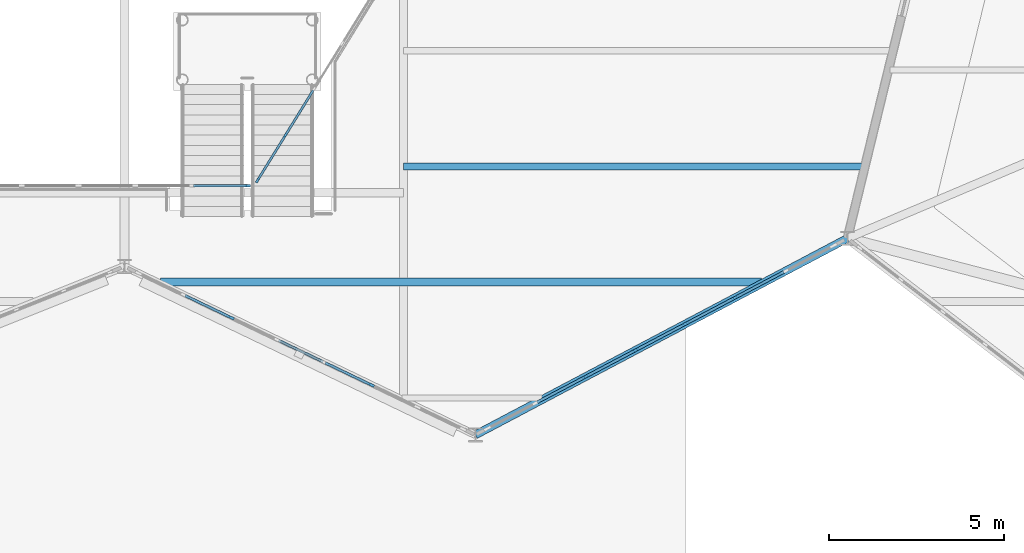
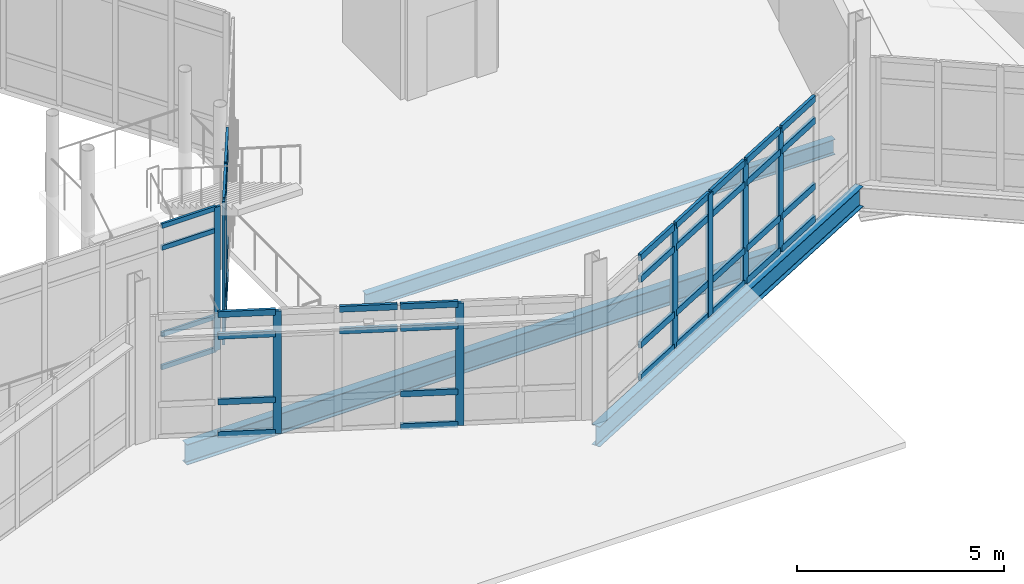
# One storey, part 39 of 134: 51 members, 3 beams, 4 elements without a shape of their own.
"""IFC4 building model written with IfcOpenShell, lengths in metres."""

from ifc_helpers import new_model, si_unit, direction, frame, origin, origin_2d, place, context, subcontext, project, spatial, rectangle, i_section, extrude, material, material_profile, profile_set, type_object, element, aggregate, save


model = new_model("IFC4")

# Units and contexts
model_context = context("Model", 3, precision=1e-05, world=origin(), true_north=direction((0.0, 1.0)))
body_context = subcontext(model_context, "Body", "Model", "MODEL_VIEW")
ifc_project = project(units=[si_unit("LENGTHUNIT", "METRE"), si_unit("AREAUNIT", "SQUARE_METRE"), si_unit("VOLUMEUNIT", "CUBIC_METRE"), si_unit("PLANEANGLEUNIT", "RADIAN"), si_unit("MASSUNIT", "GRAM", prefix="KILO")], contexts=[model_context])

# Site, building, storey
site_placement = place(None, origin())
site = spatial("IfcSite", under=ifc_project, at=site_placement, CompositionType="ELEMENT")
building_placement = place(site_placement, origin())
building = spatial("IfcBuilding", under=site, at=building_placement, Name="Tameran Prism Museum", CompositionType="ELEMENT")
storey_placement = place(building_placement, frame((0.0, 0.0, 5.39990234375)))
storey = spatial("IfcBuildingStorey", under=building, at=storey_placement, Name="L01", CompositionType="ELEMENT", Elevation=5.39990234375)

# Beams
ifc_material_1 = material(Name="Steel Grade 300PLUS (300 MPa)", Category="steel")
ifc_material_profile_1 = material_profile(ifc_material_1, i_section(OverallWidth=0.18994140625, OverallDepth=0.4541015625, WebThickness=0.008544921875, FlangeThickness=0.0126953125, FilletRadius=0.011474609375, at=origin_2d()))
ifc_profile_set_1 = profile_set([ifc_material_profile_1])
beam_type_1 = type_object("IfcBeamType", Name="BM-J460B", PredefinedType="JOIST", material=ifc_profile_set_1)
beam_1_placement = place(storey_placement, frame((85.449951171875, 30.25, -0.427001953125), z_axis=(1.0, 0.0, 0.0), x_axis=(0.0, 1.0, 0.0)))
element("IfcBeam", 1, at=beam_1_placement, inside=storey, type_object=beam_type_1, Name="Floor Beam BM-0545", PredefinedType="JOIST", context=body_context, shape_type="SweptSolid", body=[
    extrude(i_section(OverallWidth=0.18994140625, OverallDepth=0.4541015625, WebThickness=0.008544921875, FlangeThickness=0.0126953125, FilletRadius=0.011474609375, at=origin_2d()), origin(), (0.0, 0.0, 1.0), 13.10693359375),
])
ifc_material_2 = material(Name="Steel Grade 300PLUS (300 MPa)", Category="steel")
ifc_material_profile_2 = material_profile(ifc_material_2, i_section(OverallWidth=0.22802734375, OverallDepth=0.60205078125, WebThickness=0.010498046875, FlangeThickness=0.014892578125, FilletRadius=0.013916015625, at=origin_2d()))
ifc_profile_set_2 = profile_set([ifc_material_profile_2])
beam_type_2 = type_object("IfcBeamType", Name="BM-SP610", PredefinedType="SPANDREL", material=ifc_profile_set_2)
beam_2_placement = place(storey_placement, frame((87.5, 22.60009765625, -0.5009765625), z_axis=(0.884200208153, 0.46710811586, 0.0), x_axis=(-0.46710811586, 0.884200208153, 0.0)))
element("IfcBeam", 2, at=beam_2_placement, inside=storey, type_object=beam_type_2, Name="Perimeter Spandrel SP-0352", PredefinedType="SPANDREL", context=body_context, shape_type="SweptSolid", body=[
    extrude(i_section(OverallWidth=0.22802734375, OverallDepth=0.60205078125, WebThickness=0.010498046875, FlangeThickness=0.014892578125, FilletRadius=0.013916015625, at=origin_2d()), origin(), (0.0, 0.0, 1.0), 11.98828125),
])
ifc_material_3 = material(Name="Steel Grade 300PLUS (300 MPa)", Category="steel")
ifc_material_profile_3 = material_profile(ifc_material_3, i_section(OverallWidth=0.22802734375, OverallDepth=0.60693359375, WebThickness=0.01123046875, FlangeThickness=0.017333984375, FilletRadius=0.013916015625, at=origin_2d()))
ifc_profile_set_3 = profile_set([ifc_material_profile_3])
beam_type_3 = type_object("IfcBeamType", Name="BM-UB610B", PredefinedType="BEAM", material=ifc_profile_set_3)
beam_3_placement = place(storey_placement, frame((78.530029296875, 26.949951171875, -0.50341796875), z_axis=(1.0, 0.0, 0.0), x_axis=(0.0, 1.0, 0.0)))
element("IfcBeam", 3, at=beam_3_placement, inside=storey, type_object=beam_type_3, Name="Floor Beam BM-0544", PredefinedType="BEAM", context=body_context, shape_type="SweptSolid", body=[
    extrude(i_section(OverallWidth=0.22802734375, OverallDepth=0.60693359375, WebThickness=0.01123046875, FlangeThickness=0.017333984375, FilletRadius=0.013916015625, at=origin_2d()), origin(), (0.0, 0.0, 1.0), 17.117919921875),
])

# Curtain wall, member
ifc_material_4 = material(Name="Anodised Aluminium 6063-T6 and Cyclone Solar Glass", Category="aluminium")
curtain_wall_type_1 = type_object("IfcCurtainWallType", Name="CW-ATR-810x424", PredefinedType="USERDEFINED", material=ifc_material_4)
curtain_wall_1_placement = place(storey_placement, origin())
curtain_wall_1 = element("IfcCurtainWall", 4, at=curtain_wall_1_placement, inside=storey, type_object=curtain_wall_type_1, Name="Unitised Curtain Wall CW-002", ObjectType="UNITISED CURTAIN WALL", PredefinedType="USERDEFINED")
ifc_material_5 = material(Name="Anodised Aluminium Alloy 6063-T6", Category="aluminium")
ifc_material_profile_4 = material_profile(ifc_material_5, rectangle(XDim=0.06494140625, YDim=0.159912109375, at=origin_2d()))
ifc_profile_set_4 = profile_set([ifc_material_profile_4])
member_type_1 = type_object("IfcMemberType", Name="CW-MUL-A", PredefinedType="MULLION", material=ifc_profile_set_4)
member_1_placement = place(storey_placement, frame((81.017578125, 29.699951171875, 0.0), z_axis=(0.0, 0.0, 1.0), x_axis=(0.0, 1.0, 0.0)))
member_1 = element("IfcMember", 5, at=member_1_placement, type_object=member_type_1, Name="CW-002 mullion 6", PredefinedType="MULLION", context=body_context, shape_type="SweptSolid", body=[
    extrude(rectangle(XDim=0.06494140625, YDim=0.159912109375, at=origin_2d()), origin(), (0.0, 0.0, 1.0), 4.239990234375),
])

# Curtain wall, members
ifc_material_6 = material(Name="Anodised Aluminium 6063-T6 and Cyclone Solar Glass", Category="aluminium")
curtain_wall_type_2 = type_object("IfcCurtainWallType", Name="CW-ATR-769x424", PredefinedType="USERDEFINED", material=ifc_material_6)
curtain_wall_2_placement = place(storey_placement, origin())
curtain_wall_2 = element("IfcCurtainWall", 6, at=curtain_wall_2_placement, inside=storey, type_object=curtain_wall_type_2, Name="Unitised Curtain Wall CW-003", ObjectType="UNITISED CURTAIN WALL", PredefinedType="USERDEFINED")
member_2_placement = place(storey_placement, frame((81.296142578125, 29.855712890625, 0.0), z_axis=(0.0, 0.0, 1.0), x_axis=(-0.850791158897, 0.525503952357, 0.0)))
member_2 = element("IfcMember", 7, at=member_2_placement, type_object=member_type_1, Name="CW-003 mullion 1", PredefinedType="MULLION", context=body_context, shape_type="SweptSolid", body=[
    extrude(rectangle(XDim=0.06494140625, YDim=0.159912109375, at=origin_2d()), origin(), (0.0, 0.0, 1.0), 4.239990234375),
])
member_3_placement = place(storey_placement, frame((82.08740234375, 31.13671875, 0.0), z_axis=(0.0, 0.0, 1.0), x_axis=(-0.850791158897, 0.525503952357, 0.0)))
member_3 = element("IfcMember", 8, at=member_3_placement, type_object=member_type_1, Name="CW-003 mullion 2", PredefinedType="MULLION", context=body_context, shape_type="SweptSolid", body=[
    extrude(rectangle(XDim=0.06494140625, YDim=0.159912109375, at=origin_2d()), origin(), (0.0, 0.0, 1.0), 4.239990234375),
])

ifc_material_7 = material(Name="Anodised Aluminium 6063-T6 and Cyclone Solar Glass", Category="aluminium")
curtain_wall_type_3 = type_object("IfcCurtainWallType", Name="CW-FAC-1033x362", PredefinedType="USERDEFINED", material=ifc_material_7)
curtain_wall_3_placement = place(storey_placement, origin())
curtain_wall_3 = element("IfcCurtainWall", 9, at=curtain_wall_3_placement, inside=storey, type_object=curtain_wall_type_3, Name="Unitised Curtain Wall CW-065", ObjectType="UNITISED CURTAIN WALL", PredefinedType="USERDEFINED")
ifc_material_8 = material(Name="Anodised Aluminium Alloy 6063-T6", Category="aluminium")
ifc_material_profile_5 = material_profile(ifc_material_8, rectangle(XDim=0.074951171875, YDim=0.199951171875, at=origin_2d()))
ifc_profile_set_5 = profile_set([ifc_material_profile_5])
member_type_2 = type_object("IfcMemberType", Name="CW-MUL-C", PredefinedType="MULLION", material=ifc_profile_set_5)
member_4_placement = place(storey_placement, frame((84.52294921875, 24.02880859375, 0.0), z_axis=(0.0, 0.0, 1.0), x_axis=(-0.432831753637, -0.901474721245, 0.0)))
member_4 = element("IfcMember", 10, at=member_4_placement, type_object=member_type_2, Name="CW-065 mullion 3", PredefinedType="MULLION", context=body_context, shape_type="SweptSolid", body=[
    extrude(rectangle(XDim=0.074951171875, YDim=0.199951171875, at=origin_2d()), origin(), (0.0, 0.0, 1.0), 3.6201171875),
])
member_5_placement = place(storey_placement, frame((80.53125, 25.9453125, 0.0), z_axis=(0.0, 0.0, 1.0), x_axis=(-0.432831753637, -0.901474721245, 0.0)))
member_5 = element("IfcMember", 11, at=member_5_placement, type_object=member_type_2, Name="CW-065 mullion 6", PredefinedType="MULLION", context=body_context, shape_type="SweptSolid", body=[
    extrude(rectangle(XDim=0.074951171875, YDim=0.199951171875, at=origin_2d()), origin(), (0.0, 0.0, 1.0), 3.6201171875),
])

ifc_material_9 = material(Name="Anodised Aluminium 6063-T6 and Cyclone Solar Glass", Category="aluminium")
curtain_wall_type_4 = type_object("IfcCurtainWallType", Name="CW-FAC-1123x362", PredefinedType="USERDEFINED", material=ifc_material_9)
curtain_wall_4_placement = place(storey_placement, origin())
curtain_wall_4 = element("IfcCurtainWall", 12, at=curtain_wall_4_placement, inside=storey, type_object=curtain_wall_type_4, Name="Unitised Curtain Wall CW-066", ObjectType="UNITISED CURTAIN WALL", PredefinedType="USERDEFINED")
ifc_material_10 = material(Name="Anodised Aluminium Alloy 6063-T6", Category="aluminium")
ifc_material_profile_6 = material_profile(ifc_material_10, rectangle(XDim=0.080078125, YDim=0.219970703125, at=origin_2d()))
ifc_profile_set_6 = profile_set([ifc_material_profile_6])
member_type_3 = type_object("IfcMemberType", Name="CW-MUL-D", PredefinedType="MULLION", material=ifc_profile_set_6)
member_6_placement = place(storey_placement, frame((94.901123046875, 26.51025390625, 0.0), z_axis=(0.0, 0.0, 1.0), x_axis=(0.467155185438, -0.884175340483, 0.0)))
member_6 = element("IfcMember", 13, at=member_6_placement, type_object=member_type_3, Name="CW-066 mullion 3", PredefinedType="MULLION", context=body_context, shape_type="SweptSolid", body=[
    extrude(rectangle(XDim=0.080078125, YDim=0.219970703125, at=origin_2d()), origin(), (0.0, 0.0, 1.0), 3.6201171875),
])
member_7_placement = place(storey_placement, frame((93.482666015625, 25.7607421875, 0.0), z_axis=(0.0, 0.0, 1.0), x_axis=(0.467155185438, -0.884175340483, 0.0)))
member_7 = element("IfcMember", 14, at=member_7_placement, type_object=member_type_3, Name="CW-066 mullion 4", PredefinedType="MULLION", context=body_context, shape_type="SweptSolid", body=[
    extrude(rectangle(XDim=0.080078125, YDim=0.219970703125, at=origin_2d()), origin(), (0.0, 0.0, 1.0), 3.6201171875),
])
member_8_placement = place(storey_placement, frame((92.064208984375, 25.01123046875, 0.0), z_axis=(0.0, 0.0, 1.0), x_axis=(0.467155185438, -0.884175340483, 0.0)))
member_8 = element("IfcMember", 15, at=member_8_placement, type_object=member_type_3, Name="CW-066 mullion 5", PredefinedType="MULLION", context=body_context, shape_type="SweptSolid", body=[
    extrude(rectangle(XDim=0.080078125, YDim=0.219970703125, at=origin_2d()), origin(), (0.0, 0.0, 1.0), 3.6201171875),
])
member_9_placement = place(storey_placement, frame((90.645751953125, 24.261962890625, 0.0), z_axis=(0.0, 0.0, 1.0), x_axis=(0.467155185438, -0.884175340483, 0.0)))
member_9 = element("IfcMember", 16, at=member_9_placement, type_object=member_type_3, Name="CW-066 mullion 6", PredefinedType="MULLION", context=body_context, shape_type="SweptSolid", body=[
    extrude(rectangle(XDim=0.080078125, YDim=0.219970703125, at=origin_2d()), origin(), (0.0, 0.0, 1.0), 3.6201171875),
])

# Member
ifc_material_11 = material(Name="Anodised Aluminium Alloy 6063-T6", Category="aluminium")
ifc_material_profile_7 = material_profile(ifc_material_11, rectangle(XDim=0.06494140625, YDim=0.139892578125, at=origin_2d()))
ifc_profile_set_7 = profile_set([ifc_material_profile_7])
member_type_4 = type_object("IfcMemberType", Name="CW-TRN-A", PredefinedType="USERDEFINED", material=ifc_profile_set_7)
member_10_placement = place(storey_placement, frame((79.46240234375, 29.699951171875, 0.03271484375), z_axis=(1.0, 0.0, 0.0), x_axis=(0.0, 1.0, 0.0)))
member_10 = element("IfcMember", 17, at=member_10_placement, type_object=member_type_4, Name="CW-002 transom 5.1", ObjectType="TRANSOM", PredefinedType="USERDEFINED", context=body_context, shape_type="SweptSolid", body=[
    extrude(rectangle(XDim=0.06494140625, YDim=0.139892578125, at=origin_2d()), origin(), (0.0, 0.0, 1.0), 1.522705078125),
])

member_11_placement = place(storey_placement, frame((79.46240234375, 29.699951171875, 1.0), z_axis=(1.0, 0.0, 0.0), x_axis=(0.0, 1.0, 0.0)))
member_11 = element("IfcMember", 18, at=member_11_placement, type_object=member_type_4, Name="CW-002 transom 5.2", ObjectType="TRANSOM", PredefinedType="USERDEFINED", context=body_context, shape_type="SweptSolid", body=[
    extrude(rectangle(XDim=0.06494140625, YDim=0.139892578125, at=origin_2d()), origin(), (0.0, 0.0, 1.0), 1.522705078125),
])

member_12_placement = place(storey_placement, frame((79.46240234375, 29.699951171875, 3.56005859375), z_axis=(1.0, 0.0, 0.0), x_axis=(0.0, 1.0, 0.0)))
member_12 = element("IfcMember", 19, at=member_12_placement, type_object=member_type_4, Name="CW-002 transom 5.3", ObjectType="TRANSOM", PredefinedType="USERDEFINED", context=body_context, shape_type="SweptSolid", body=[
    extrude(rectangle(XDim=0.06494140625, YDim=0.139892578125, at=origin_2d()), origin(), (0.0, 0.0, 1.0), 1.522705078125),
])

member_13_placement = place(storey_placement, frame((79.46240234375, 29.699951171875, 4.20751953125), z_axis=(1.0, 0.0, 0.0), x_axis=(0.0, 1.0, 0.0)))
member_13 = element("IfcMember", 20, at=member_13_placement, type_object=member_type_4, Name="CW-002 transom 5.4", ObjectType="TRANSOM", PredefinedType="USERDEFINED", context=body_context, shape_type="SweptSolid", body=[
    extrude(rectangle(XDim=0.06494140625, YDim=0.139892578125, at=origin_2d()), origin(), (0.0, 0.0, 1.0), 1.522705078125),
])

aggregate(curtain_wall_1, [member_1, member_10, member_11, member_12, member_13])

member_14_placement = place(storey_placement, frame((81.313232421875, 29.88330078125, 0.03271484375), z_axis=(0.525467627301, 0.850813594543, 0.0), x_axis=(-0.850813594543, 0.525467627301, 0.0)))
member_14 = element("IfcMember", 21, at=member_14_placement, type_object=member_type_4, Name="CW-003 transom 1.1", ObjectType="TRANSOM", PredefinedType="USERDEFINED", context=body_context, shape_type="SweptSolid", body=[
    extrude(rectangle(XDim=0.06494140625, YDim=0.139892578125, at=origin_2d()), origin(), (0.0, 0.0, 1.0), 1.440673828125),
])

member_15_placement = place(storey_placement, frame((81.313232421875, 29.88330078125, 1.0), z_axis=(0.525467627301, 0.850813594543, 0.0), x_axis=(-0.850813594543, 0.525467627301, 0.0)))
member_15 = element("IfcMember", 22, at=member_15_placement, type_object=member_type_4, Name="CW-003 transom 1.2", ObjectType="TRANSOM", PredefinedType="USERDEFINED", context=body_context, shape_type="SweptSolid", body=[
    extrude(rectangle(XDim=0.06494140625, YDim=0.139892578125, at=origin_2d()), origin(), (0.0, 0.0, 1.0), 1.440673828125),
])

member_16_placement = place(storey_placement, frame((81.313232421875, 29.88330078125, 3.56005859375), z_axis=(0.525467627301, 0.850813594543, 0.0), x_axis=(-0.850813594543, 0.525467627301, 0.0)))
member_16 = element("IfcMember", 23, at=member_16_placement, type_object=member_type_4, Name="CW-003 transom 1.3", ObjectType="TRANSOM", PredefinedType="USERDEFINED", context=body_context, shape_type="SweptSolid", body=[
    extrude(rectangle(XDim=0.06494140625, YDim=0.139892578125, at=origin_2d()), origin(), (0.0, 0.0, 1.0), 1.440673828125),
])

member_17_placement = place(storey_placement, frame((81.313232421875, 29.88330078125, 4.20751953125), z_axis=(0.525467627301, 0.850813594543, 0.0), x_axis=(-0.850813594543, 0.525467627301, 0.0)))
member_17 = element("IfcMember", 24, at=member_17_placement, type_object=member_type_4, Name="CW-003 transom 1.4", ObjectType="TRANSOM", PredefinedType="USERDEFINED", context=body_context, shape_type="SweptSolid", body=[
    extrude(rectangle(XDim=0.06494140625, YDim=0.139892578125, at=origin_2d()), origin(), (0.0, 0.0, 1.0), 1.440673828125),
])

member_18_placement = place(storey_placement, frame((82.1044921875, 31.16455078125, 0.03271484375), z_axis=(0.525492880722, 0.850797997359, 0.0), x_axis=(-0.850797997359, 0.525492880722, 0.0)))
member_18 = element("IfcMember", 25, at=member_18_placement, type_object=member_type_4, Name="CW-003 transom 2.1", ObjectType="TRANSOM", PredefinedType="USERDEFINED", context=body_context, shape_type="SweptSolid", body=[
    extrude(rectangle(XDim=0.06494140625, YDim=0.139892578125, at=origin_2d()), origin(), (0.0, 0.0, 1.0), 1.47314453125),
])

member_19_placement = place(storey_placement, frame((82.1044921875, 31.16455078125, 1.0), z_axis=(0.525492880722, 0.850797997359, 0.0), x_axis=(-0.850797997359, 0.525492880722, 0.0)))
member_19 = element("IfcMember", 26, at=member_19_placement, type_object=member_type_4, Name="CW-003 transom 2.2", ObjectType="TRANSOM", PredefinedType="USERDEFINED", context=body_context, shape_type="SweptSolid", body=[
    extrude(rectangle(XDim=0.06494140625, YDim=0.139892578125, at=origin_2d()), origin(), (0.0, 0.0, 1.0), 1.47314453125),
])

member_20_placement = place(storey_placement, frame((82.1044921875, 31.16455078125, 3.56005859375), z_axis=(0.525492880722, 0.850797997359, 0.0), x_axis=(-0.850797997359, 0.525492880722, 0.0)))
member_20 = element("IfcMember", 27, at=member_20_placement, type_object=member_type_4, Name="CW-003 transom 2.3", ObjectType="TRANSOM", PredefinedType="USERDEFINED", context=body_context, shape_type="SweptSolid", body=[
    extrude(rectangle(XDim=0.06494140625, YDim=0.139892578125, at=origin_2d()), origin(), (0.0, 0.0, 1.0), 1.47314453125),
])

member_21_placement = place(storey_placement, frame((82.1044921875, 31.16455078125, 4.20751953125), z_axis=(0.525492880722, 0.850797997359, 0.0), x_axis=(-0.850797997359, 0.525492880722, 0.0)))
member_21 = element("IfcMember", 28, at=member_21_placement, type_object=member_type_4, Name="CW-003 transom 2.4", ObjectType="TRANSOM", PredefinedType="USERDEFINED", context=body_context, shape_type="SweptSolid", body=[
    extrude(rectangle(XDim=0.06494140625, YDim=0.139892578125, at=origin_2d()), origin(), (0.0, 0.0, 1.0), 1.47314453125),
])

aggregate(curtain_wall_2, [member_2, member_3, member_14, member_15, member_16, member_17, member_18, member_19, member_20, member_21])

ifc_material_12 = material(Name="Anodised Aluminium Alloy 6063-T6", Category="aluminium")
ifc_material_profile_8 = material_profile(ifc_material_12, rectangle(XDim=0.074951171875, YDim=0.175048828125, at=origin_2d()))
ifc_profile_set_8 = profile_set([ifc_material_profile_8])
member_type_5 = type_object("IfcMemberType", Name="CW-TRN-C", PredefinedType="USERDEFINED", material=ifc_profile_set_8)
member_22_placement = place(storey_placement, frame((84.489013671875, 24.044921875, 0.03759765625), z_axis=(-0.90145778391, 0.432867027882, 0.0), x_axis=(-0.432867027882, -0.90145778391, 0.0)))
member_22 = element("IfcMember", 29, at=member_22_placement, type_object=member_type_5, Name="CW-065 transom 3.1", ObjectType="TRANSOM", PredefinedType="USERDEFINED", context=body_context, shape_type="SweptSolid", body=[
    extrude(rectangle(XDim=0.074951171875, YDim=0.175048828125, at=origin_2d()), origin(), (0.0, 0.0, 1.0), 1.40087890625),
])

member_23_placement = place(storey_placement, frame((84.489013671875, 24.044921875, 1.0), z_axis=(-0.90145778391, 0.432867027882, 0.0), x_axis=(-0.432867027882, -0.90145778391, 0.0)))
member_23 = element("IfcMember", 30, at=member_23_placement, type_object=member_type_5, Name="CW-065 transom 3.2", ObjectType="TRANSOM", PredefinedType="USERDEFINED", context=body_context, shape_type="SweptSolid", body=[
    extrude(rectangle(XDim=0.074951171875, YDim=0.175048828125, at=origin_2d()), origin(), (0.0, 0.0, 1.0), 1.40087890625),
])

member_24_placement = place(storey_placement, frame((84.489013671875, 24.044921875, 2.940185546875), z_axis=(-0.90145778391, 0.432867027882, 0.0), x_axis=(-0.432867027882, -0.90145778391, 0.0)))
member_24 = element("IfcMember", 31, at=member_24_placement, type_object=member_type_5, Name="CW-065 transom 3.3", ObjectType="TRANSOM", PredefinedType="USERDEFINED", context=body_context, shape_type="SweptSolid", body=[
    extrude(rectangle(XDim=0.074951171875, YDim=0.175048828125, at=origin_2d()), origin(), (0.0, 0.0, 1.0), 1.40087890625),
])

member_25_placement = place(storey_placement, frame((84.489013671875, 24.044921875, 3.58251953125), z_axis=(-0.90145778391, 0.432867027882, 0.0), x_axis=(-0.432867027882, -0.90145778391, 0.0)))
member_25 = element("IfcMember", 32, at=member_25_placement, type_object=member_type_5, Name="CW-065 transom 3.4", ObjectType="TRANSOM", PredefinedType="USERDEFINED", context=body_context, shape_type="SweptSolid", body=[
    extrude(rectangle(XDim=0.074951171875, YDim=0.175048828125, at=origin_2d()), origin(), (0.0, 0.0, 1.0), 1.40087890625),
])

member_26_placement = place(storey_placement, frame((83.158447265625, 24.683837890625, 2.940185546875), z_axis=(-0.90145778391, 0.432867027882, 0.0), x_axis=(-0.432867027882, -0.90145778391, 0.0)))
member_26 = element("IfcMember", 33, at=member_26_placement, type_object=member_type_5, Name="CW-065 transom 4.3", ObjectType="TRANSOM", PredefinedType="USERDEFINED", context=body_context, shape_type="SweptSolid", body=[
    extrude(rectangle(XDim=0.074951171875, YDim=0.175048828125, at=origin_2d()), origin(), (0.0, 0.0, 1.0), 1.40087890625),
])

member_27_placement = place(storey_placement, frame((83.158447265625, 24.683837890625, 3.58251953125), z_axis=(-0.90145778391, 0.432867027882, 0.0), x_axis=(-0.432867027882, -0.90145778391, 0.0)))
member_27 = element("IfcMember", 34, at=member_27_placement, type_object=member_type_5, Name="CW-065 transom 4.4", ObjectType="TRANSOM", PredefinedType="USERDEFINED", context=body_context, shape_type="SweptSolid", body=[
    extrude(rectangle(XDim=0.074951171875, YDim=0.175048828125, at=origin_2d()), origin(), (0.0, 0.0, 1.0), 1.40087890625),
])

member_28_placement = place(storey_placement, frame((80.497314453125, 25.96142578125, 0.03759765625), z_axis=(-0.90145778391, 0.432867027882, 0.0), x_axis=(-0.432867027882, -0.90145778391, 0.0)))
member_28 = element("IfcMember", 35, at=member_28_placement, type_object=member_type_5, Name="CW-065 transom 6.1", ObjectType="TRANSOM", PredefinedType="USERDEFINED", context=body_context, shape_type="SweptSolid", body=[
    extrude(rectangle(XDim=0.074951171875, YDim=0.175048828125, at=origin_2d()), origin(), (0.0, 0.0, 1.0), 1.40087890625),
])

member_29_placement = place(storey_placement, frame((80.497314453125, 25.96142578125, 1.0), z_axis=(-0.90145778391, 0.432867027882, 0.0), x_axis=(-0.432867027882, -0.90145778391, 0.0)))
member_29 = element("IfcMember", 36, at=member_29_placement, type_object=member_type_5, Name="CW-065 transom 6.2", ObjectType="TRANSOM", PredefinedType="USERDEFINED", context=body_context, shape_type="SweptSolid", body=[
    extrude(rectangle(XDim=0.074951171875, YDim=0.175048828125, at=origin_2d()), origin(), (0.0, 0.0, 1.0), 1.40087890625),
])

member_30_placement = place(storey_placement, frame((80.497314453125, 25.96142578125, 2.940185546875), z_axis=(-0.90145778391, 0.432867027882, 0.0), x_axis=(-0.432867027882, -0.90145778391, 0.0)))
member_30 = element("IfcMember", 37, at=member_30_placement, type_object=member_type_5, Name="CW-065 transom 6.3", ObjectType="TRANSOM", PredefinedType="USERDEFINED", context=body_context, shape_type="SweptSolid", body=[
    extrude(rectangle(XDim=0.074951171875, YDim=0.175048828125, at=origin_2d()), origin(), (0.0, 0.0, 1.0), 1.40087890625),
])

member_31_placement = place(storey_placement, frame((80.497314453125, 25.96142578125, 3.58251953125), z_axis=(-0.90145778391, 0.432867027882, 0.0), x_axis=(-0.432867027882, -0.90145778391, 0.0)))
member_31 = element("IfcMember", 38, at=member_31_placement, type_object=member_type_5, Name="CW-065 transom 6.4", ObjectType="TRANSOM", PredefinedType="USERDEFINED", context=body_context, shape_type="SweptSolid", body=[
    extrude(rectangle(XDim=0.074951171875, YDim=0.175048828125, at=origin_2d()), origin(), (0.0, 0.0, 1.0), 1.40087890625),
])

aggregate(curtain_wall_3, [member_4, member_5, member_22, member_23, member_24, member_25, member_26, member_27, member_28, member_29, member_30, member_31])

ifc_material_13 = material(Name="Anodised Aluminium Alloy 6063-T6", Category="aluminium")
ifc_material_profile_9 = material_profile(ifc_material_13, rectangle(XDim=0.080078125, YDim=0.195068359375, at=origin_2d()))
ifc_profile_set_9 = profile_set([ifc_material_profile_9])
member_type_6 = type_object("IfcMemberType", Name="CW-TRN-D", PredefinedType="USERDEFINED", material=ifc_profile_set_9)
member_32_placement = place(storey_placement, frame((96.2841796875, 27.240966796875, 0.0400390625), z_axis=(-0.884142202605, -0.467217899456, 0.0), x_axis=(0.467217899456, -0.884142202605, 0.0)))
member_32 = element("IfcMember", 39, at=member_32_placement, type_object=member_type_6, Name="CW-066 transom 2.1", ObjectType="TRANSOM", PredefinedType="USERDEFINED", context=body_context, shape_type="SweptSolid", body=[
    extrude(rectangle(XDim=0.080078125, YDim=0.195068359375, at=origin_2d()), origin(), (0.0, 0.0, 1.0), 1.524169921875),
])

member_33_placement = place(storey_placement, frame((96.2841796875, 27.240966796875, 1.0), z_axis=(-0.884142202605, -0.467217899456, 0.0), x_axis=(0.467217899456, -0.884142202605, 0.0)))
member_33 = element("IfcMember", 40, at=member_33_placement, type_object=member_type_6, Name="CW-066 transom 2.2", ObjectType="TRANSOM", PredefinedType="USERDEFINED", context=body_context, shape_type="SweptSolid", body=[
    extrude(rectangle(XDim=0.080078125, YDim=0.195068359375, at=origin_2d()), origin(), (0.0, 0.0, 1.0), 1.524169921875),
])

member_34_placement = place(storey_placement, frame((96.2841796875, 27.240966796875, 2.940185546875), z_axis=(-0.884142202605, -0.467217899456, 0.0), x_axis=(0.467217899456, -0.884142202605, 0.0)))
member_34 = element("IfcMember", 41, at=member_34_placement, type_object=member_type_6, Name="CW-066 transom 2.3", ObjectType="TRANSOM", PredefinedType="USERDEFINED", context=body_context, shape_type="SweptSolid", body=[
    extrude(rectangle(XDim=0.080078125, YDim=0.195068359375, at=origin_2d()), origin(), (0.0, 0.0, 1.0), 1.524169921875),
])

member_35_placement = place(storey_placement, frame((96.2841796875, 27.240966796875, 3.580078125), z_axis=(-0.884142202605, -0.467217899456, 0.0), x_axis=(0.467217899456, -0.884142202605, 0.0)))
member_35 = element("IfcMember", 42, at=member_35_placement, type_object=member_type_6, Name="CW-066 transom 2.4", ObjectType="TRANSOM", PredefinedType="USERDEFINED", context=body_context, shape_type="SweptSolid", body=[
    extrude(rectangle(XDim=0.080078125, YDim=0.195068359375, at=origin_2d()), origin(), (0.0, 0.0, 1.0), 1.524169921875),
])

member_36_placement = place(storey_placement, frame((94.86572265625, 26.491455078125, 0.0400390625), z_axis=(-0.884142202605, -0.467217899456, 0.0), x_axis=(0.467217899456, -0.884142202605, 0.0)))
member_36 = element("IfcMember", 43, at=member_36_placement, type_object=member_type_6, Name="CW-066 transom 3.1", ObjectType="TRANSOM", PredefinedType="USERDEFINED", context=body_context, shape_type="SweptSolid", body=[
    extrude(rectangle(XDim=0.080078125, YDim=0.195068359375, at=origin_2d()), origin(), (0.0, 0.0, 1.0), 1.524169921875),
])

member_37_placement = place(storey_placement, frame((94.86572265625, 26.491455078125, 1.0), z_axis=(-0.884142202605, -0.467217899456, 0.0), x_axis=(0.467217899456, -0.884142202605, 0.0)))
member_37 = element("IfcMember", 44, at=member_37_placement, type_object=member_type_6, Name="CW-066 transom 3.2", ObjectType="TRANSOM", PredefinedType="USERDEFINED", context=body_context, shape_type="SweptSolid", body=[
    extrude(rectangle(XDim=0.080078125, YDim=0.195068359375, at=origin_2d()), origin(), (0.0, 0.0, 1.0), 1.524169921875),
])

member_38_placement = place(storey_placement, frame((94.86572265625, 26.491455078125, 2.940185546875), z_axis=(-0.884142202605, -0.467217899456, 0.0), x_axis=(0.467217899456, -0.884142202605, 0.0)))
member_38 = element("IfcMember", 45, at=member_38_placement, type_object=member_type_6, Name="CW-066 transom 3.3", ObjectType="TRANSOM", PredefinedType="USERDEFINED", context=body_context, shape_type="SweptSolid", body=[
    extrude(rectangle(XDim=0.080078125, YDim=0.195068359375, at=origin_2d()), origin(), (0.0, 0.0, 1.0), 1.524169921875),
])

member_39_placement = place(storey_placement, frame((94.86572265625, 26.491455078125, 3.580078125), z_axis=(-0.884142202605, -0.467217899456, 0.0), x_axis=(0.467217899456, -0.884142202605, 0.0)))
member_39 = element("IfcMember", 46, at=member_39_placement, type_object=member_type_6, Name="CW-066 transom 3.4", ObjectType="TRANSOM", PredefinedType="USERDEFINED", context=body_context, shape_type="SweptSolid", body=[
    extrude(rectangle(XDim=0.080078125, YDim=0.195068359375, at=origin_2d()), origin(), (0.0, 0.0, 1.0), 1.524169921875),
])

member_40_placement = place(storey_placement, frame((93.447265625, 25.741943359375, 0.0400390625), z_axis=(-0.884208363129, -0.467092678783, 0.0), x_axis=(0.467092678783, -0.884208363129, 0.0)))
member_40 = element("IfcMember", 47, at=member_40_placement, type_object=member_type_6, Name="CW-066 transom 4.1", ObjectType="TRANSOM", PredefinedType="USERDEFINED", context=body_context, shape_type="SweptSolid", body=[
    extrude(rectangle(XDim=0.080078125, YDim=0.195068359375, at=origin_2d()), origin(), (0.0, 0.0, 1.0), 1.524169921875),
])

member_41_placement = place(storey_placement, frame((93.447265625, 25.741943359375, 1.0), z_axis=(-0.884208363129, -0.467092678783, 0.0), x_axis=(0.467092678783, -0.884208363129, 0.0)))
member_41 = element("IfcMember", 48, at=member_41_placement, type_object=member_type_6, Name="CW-066 transom 4.2", ObjectType="TRANSOM", PredefinedType="USERDEFINED", context=body_context, shape_type="SweptSolid", body=[
    extrude(rectangle(XDim=0.080078125, YDim=0.195068359375, at=origin_2d()), origin(), (0.0, 0.0, 1.0), 1.524169921875),
])

member_42_placement = place(storey_placement, frame((93.447265625, 25.741943359375, 2.940185546875), z_axis=(-0.884208363129, -0.467092678783, 0.0), x_axis=(0.467092678783, -0.884208363129, 0.0)))
member_42 = element("IfcMember", 49, at=member_42_placement, type_object=member_type_6, Name="CW-066 transom 4.3", ObjectType="TRANSOM", PredefinedType="USERDEFINED", context=body_context, shape_type="SweptSolid", body=[
    extrude(rectangle(XDim=0.080078125, YDim=0.195068359375, at=origin_2d()), origin(), (0.0, 0.0, 1.0), 1.524169921875),
])

member_43_placement = place(storey_placement, frame((93.447265625, 25.741943359375, 3.580078125), z_axis=(-0.884208363129, -0.467092678783, 0.0), x_axis=(0.467092678783, -0.884208363129, 0.0)))
member_43 = element("IfcMember", 50, at=member_43_placement, type_object=member_type_6, Name="CW-066 transom 4.4", ObjectType="TRANSOM", PredefinedType="USERDEFINED", context=body_context, shape_type="SweptSolid", body=[
    extrude(rectangle(XDim=0.080078125, YDim=0.195068359375, at=origin_2d()), origin(), (0.0, 0.0, 1.0), 1.524169921875),
])

member_44_placement = place(storey_placement, frame((92.02880859375, 24.99267578125, 0.0400390625), z_axis=(-0.884142202605, -0.467217899456, 0.0), x_axis=(0.467217899456, -0.884142202605, 0.0)))
member_44 = element("IfcMember", 51, at=member_44_placement, type_object=member_type_6, Name="CW-066 transom 5.1", ObjectType="TRANSOM", PredefinedType="USERDEFINED", context=body_context, shape_type="SweptSolid", body=[
    extrude(rectangle(XDim=0.080078125, YDim=0.195068359375, at=origin_2d()), origin(), (0.0, 0.0, 1.0), 1.524169921875),
])

member_45_placement = place(storey_placement, frame((92.02880859375, 24.99267578125, 1.0), z_axis=(-0.884142202605, -0.467217899456, 0.0), x_axis=(0.467217899456, -0.884142202605, 0.0)))
member_45 = element("IfcMember", 52, at=member_45_placement, type_object=member_type_6, Name="CW-066 transom 5.2", ObjectType="TRANSOM", PredefinedType="USERDEFINED", context=body_context, shape_type="SweptSolid", body=[
    extrude(rectangle(XDim=0.080078125, YDim=0.195068359375, at=origin_2d()), origin(), (0.0, 0.0, 1.0), 1.524169921875),
])

member_46_placement = place(storey_placement, frame((92.02880859375, 24.99267578125, 2.940185546875), z_axis=(-0.884142202605, -0.467217899456, 0.0), x_axis=(0.467217899456, -0.884142202605, 0.0)))
member_46 = element("IfcMember", 53, at=member_46_placement, type_object=member_type_6, Name="CW-066 transom 5.3", ObjectType="TRANSOM", PredefinedType="USERDEFINED", context=body_context, shape_type="SweptSolid", body=[
    extrude(rectangle(XDim=0.080078125, YDim=0.195068359375, at=origin_2d()), origin(), (0.0, 0.0, 1.0), 1.524169921875),
])

member_47_placement = place(storey_placement, frame((92.02880859375, 24.99267578125, 3.580078125), z_axis=(-0.884142202605, -0.467217899456, 0.0), x_axis=(0.467217899456, -0.884142202605, 0.0)))
member_47 = element("IfcMember", 54, at=member_47_placement, type_object=member_type_6, Name="CW-066 transom 5.4", ObjectType="TRANSOM", PredefinedType="USERDEFINED", context=body_context, shape_type="SweptSolid", body=[
    extrude(rectangle(XDim=0.080078125, YDim=0.195068359375, at=origin_2d()), origin(), (0.0, 0.0, 1.0), 1.524169921875),
])

member_48_placement = place(storey_placement, frame((90.610595703125, 24.2431640625, 0.0400390625), z_axis=(-0.88417715925, -0.467151743078, 0.0), x_axis=(0.467151743078, -0.88417715925, 0.0)))
member_48 = element("IfcMember", 55, at=member_48_placement, type_object=member_type_6, Name="CW-066 transom 6.1", ObjectType="TRANSOM", PredefinedType="USERDEFINED", context=body_context, shape_type="SweptSolid", body=[
    extrude(rectangle(XDim=0.080078125, YDim=0.195068359375, at=origin_2d()), origin(), (0.0, 0.0, 1.0), 1.5244140625),
])

member_49_placement = place(storey_placement, frame((90.610595703125, 24.2431640625, 1.0), z_axis=(-0.88417715925, -0.467151743078, 0.0), x_axis=(0.467151743078, -0.88417715925, 0.0)))
member_49 = element("IfcMember", 56, at=member_49_placement, type_object=member_type_6, Name="CW-066 transom 6.2", ObjectType="TRANSOM", PredefinedType="USERDEFINED", context=body_context, shape_type="SweptSolid", body=[
    extrude(rectangle(XDim=0.080078125, YDim=0.195068359375, at=origin_2d()), origin(), (0.0, 0.0, 1.0), 1.5244140625),
])

member_50_placement = place(storey_placement, frame((90.610595703125, 24.2431640625, 2.940185546875), z_axis=(-0.88417715925, -0.467151743078, 0.0), x_axis=(0.467151743078, -0.88417715925, 0.0)))
member_50 = element("IfcMember", 57, at=member_50_placement, type_object=member_type_6, Name="CW-066 transom 6.3", ObjectType="TRANSOM", PredefinedType="USERDEFINED", context=body_context, shape_type="SweptSolid", body=[
    extrude(rectangle(XDim=0.080078125, YDim=0.195068359375, at=origin_2d()), origin(), (0.0, 0.0, 1.0), 1.5244140625),
])

member_51_placement = place(storey_placement, frame((90.610595703125, 24.2431640625, 3.580078125), z_axis=(-0.88417715925, -0.467151743078, 0.0), x_axis=(0.467151743078, -0.88417715925, 0.0)))
member_51 = element("IfcMember", 58, at=member_51_placement, type_object=member_type_6, Name="CW-066 transom 6.4", ObjectType="TRANSOM", PredefinedType="USERDEFINED", context=body_context, shape_type="SweptSolid", body=[
    extrude(rectangle(XDim=0.080078125, YDim=0.195068359375, at=origin_2d()), origin(), (0.0, 0.0, 1.0), 1.5244140625),
])

aggregate(curtain_wall_4, [member_6, member_7, member_8, member_9, member_32, member_33, member_34, member_35, member_36, member_37, member_38, member_39, member_40, member_41, member_42, member_43, member_44, member_45, member_46, member_47, member_48, member_49, member_50, member_51])

save(model, "model.ifc")
